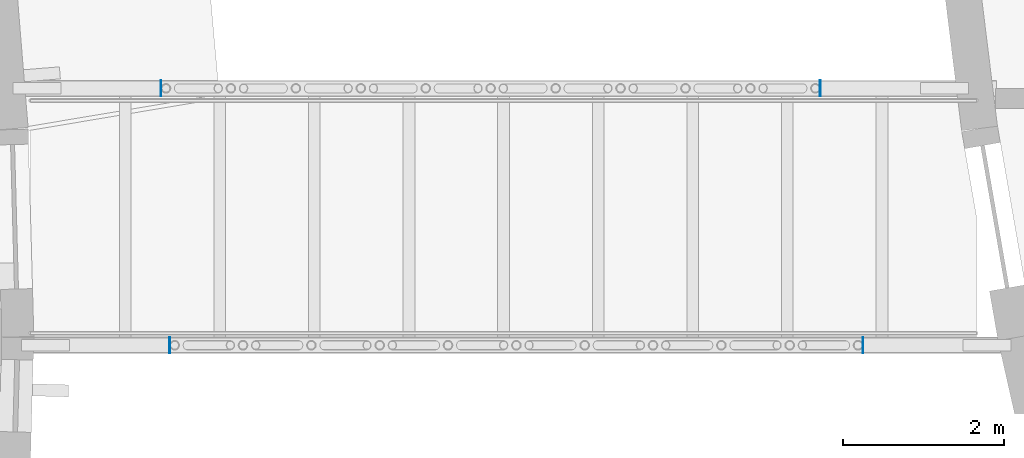
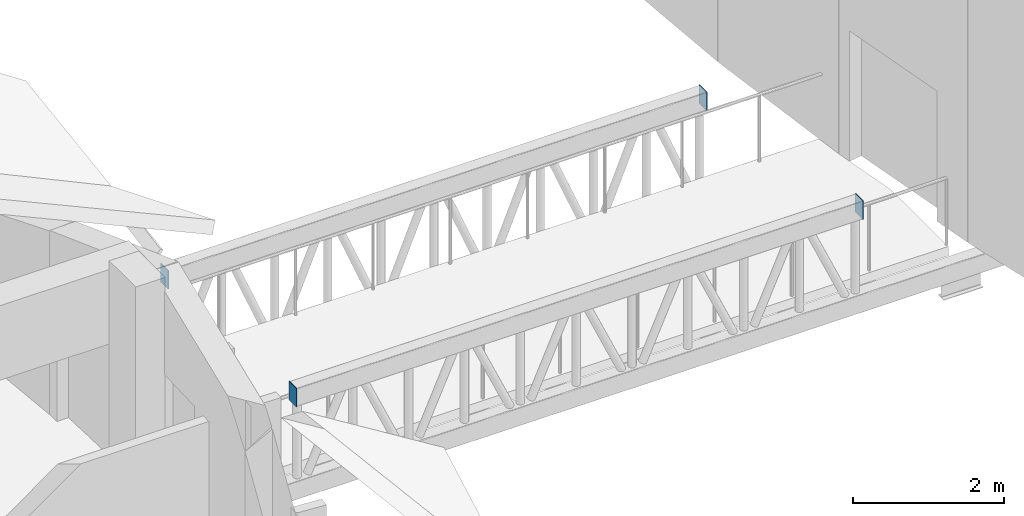
# One storey, part 27 of 56: 4 plates.
"""IFC4 building model written with IfcOpenShell, lengths in metres."""

from ifc_helpers import new_model, si_unit, direction, frame, origin, origin_2d, place, context, subcontext, project, spatial, rectangle, extrude, material, layer, layer_set, type_object, element, save


model = new_model("IFC4")

# Units and contexts
model_context = context("Model", 3, precision=1e-05, world=origin(), true_north=direction((0.0, 1.0)))
body_context = subcontext(model_context, "Body", "Model", "MODEL_VIEW")
ifc_project = project(units=[si_unit("LENGTHUNIT", "METRE"), si_unit("AREAUNIT", "SQUARE_METRE"), si_unit("VOLUMEUNIT", "CUBIC_METRE"), si_unit("PLANEANGLEUNIT", "RADIAN"), si_unit("MASSUNIT", "GRAM", prefix="KILO")], contexts=[model_context])

# Site, building, storey
site_placement = place(None, origin())
site = spatial("IfcSite", under=ifc_project, at=site_placement, CompositionType="ELEMENT")
building_placement = place(site_placement, origin())
building = spatial("IfcBuilding", under=site, at=building_placement, Name="Tide Square Theatres", CompositionType="ELEMENT")
storey_placement = place(building_placement, frame((0.0, 0.0, 10.199951171875)))
storey = spatial("IfcBuildingStorey", under=building, at=storey_placement, Name="L02", CompositionType="ELEMENT", Elevation=10.199951171875)

# Plates
ifc_material = material(Name="Steel ASTM A572 Grade 50", Category="steel")
ifc_layer = layer(ifc_material, 0.010009765625)
ifc_layer_set = layer_set([ifc_layer], Name="Steel ASTM A572 Grade 50")
plate_type = type_object("IfcPlateType", Name="Steel end plate 10 thick", PredefinedType="USERDEFINED", material=ifc_layer_set)
for number, where, z_axis, x_axis, name in (
    (1, (53.38525390625, 44.39990234375, 1.0498046875), (0.0, 0.0, 1.0), (-1.0, 0.0, 0.0), "Bridge BR-W2 top chord end plate"),
    (2, (62.02197265625, 44.39990234375, 1.0498046875), (0.0, 0.0, 1.0), (1.0, 0.0, 0.0), "Bridge BR-W2 top chord end plate"),
    (3, (53.276611328125, 47.60009765625, 1.0498046875), (0.0, 0.0, 1.0), (-1.0, 0.0, 0.0), "Bridge BR-W2 top chord end plate"),
    (4, (61.489990234375, 47.60009765625, 1.0498046875), (0.0, 0.0, 1.0), (1.0, 0.0, 0.0), "Bridge BR-W2 top chord end plate"),
):
    element("IfcPlate", number, at=place(storey_placement, frame(where, z_axis=z_axis, x_axis=x_axis)), inside=storey, type_object=plate_type, Name=name, ObjectType="END PLATE", PredefinedType="USERDEFINED", context=body_context, shape_type="SweptSolid", body=[
        extrude(rectangle(XDim=0.010009765625, YDim=0.199951171875, at=origin_2d()), origin(), (0.0, 0.0, 1.0), 0.300048828125),
    ])

save(model, "model.ifc")
